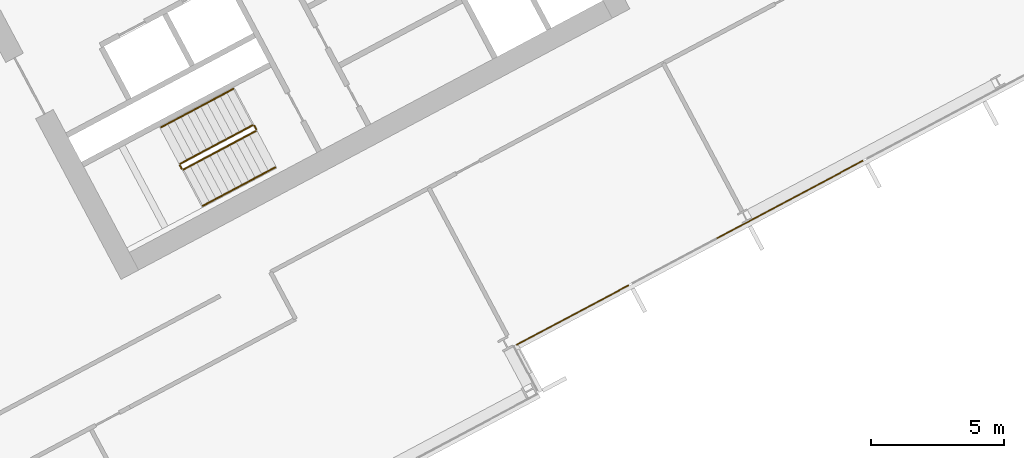
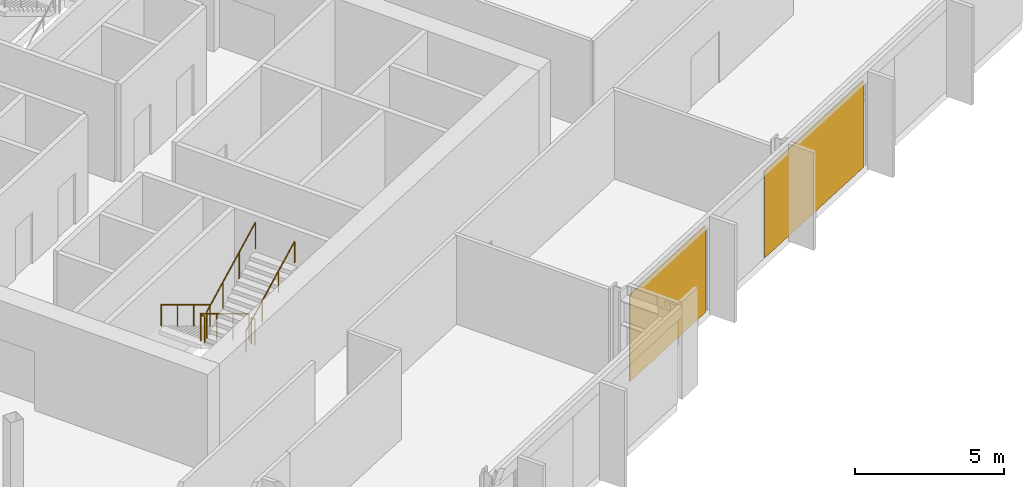
# One storey, part 25 of 28: 6 railings, 2 coverings, 1 element without a shape of its own.
"""IFC4 building model written with IfcOpenShell, lengths in metres."""

from ifc_helpers import new_model, si_unit, direction, frame, origin, origin_2d, place, context, subcontext, project, spatial, polyline, rectangle, outline, extrude, material, layer, layer_set, type_object, element, aggregate, save


model = new_model("IFC4")

# Units and contexts
model_context = context("Model", 3, precision=1e-05, world=origin(), true_north=direction((0.0, 1.0)))
body_context = subcontext(model_context, "Body", "Model", "MODEL_VIEW")
ifc_project = project(units=[si_unit("LENGTHUNIT", "METRE"), si_unit("AREAUNIT", "SQUARE_METRE"), si_unit("VOLUMEUNIT", "CUBIC_METRE"), si_unit("PLANEANGLEUNIT", "RADIAN"), si_unit("MASSUNIT", "GRAM", prefix="KILO")], contexts=[model_context])

# Site, building, storey
site_placement = place(None, origin())
site = spatial("IfcSite", under=ifc_project, at=site_placement, CompositionType="ELEMENT")
building_placement = place(site_placement, origin())
building = spatial("IfcBuilding", under=site, at=building_placement, Name="Cormorant Relay Tower", CompositionType="ELEMENT")
storey_placement = place(building_placement, frame((0.0, 0.0, 134.199951171875)))
storey = spatial("IfcBuildingStorey", under=building, at=storey_placement, Name="L27", CompositionType="ELEMENT", Elevation=134.199951171875)

# Curtain wall, coverings
ifc_material_1 = material(Name="Aluminium 6063-T6 anodised bronze", Category="aluminium")
ifc_layer_1 = layer(ifc_material_1, 0.199951171875)
ifc_layer_set_1 = layer_set([ifc_layer_1], Name="CW1 unitised bronze curtain wall with vertical fins")
curtain_wall_type = type_object("IfcCurtainWallType", Name="CW1 unitised bronze curtain wall with vertical fins", PredefinedType="NOTDEFINED", material=ifc_layer_set_1)
curtain_wall_placement = place(storey_placement, origin())
curtain_wall = element("IfcCurtainWall", 1, at=curtain_wall_placement, inside=storey, type_object=curtain_wall_type, Name="CW1 curtain wall 4", PredefinedType="NOTDEFINED")
ifc_material_2 = material(Name="Pale bronze anodised aluminium insulated panel", Category="aluminium")
ifc_layer_2 = layer(ifc_material_2, 0.0400390625)
ifc_layer_set_2 = layer_set([ifc_layer_2], Name="CW1 pale bronze insulated panel 40")
covering_type = type_object("IfcCoveringType", Name="CW1 pale bronze insulated panel 40", PredefinedType="CLADDING", material=ifc_layer_set_2)
covering_1_placement = place(storey_placement, frame((35.892333984375, -2.457275390625, 0.0), z_axis=(0.0, 0.0, 1.0), x_axis=(0.882947592859, 0.469471562786, 0.0)))
covering_1 = element("IfcCovering", 2, at=covering_1_placement, type_object=covering_type, Name="CW1 panel S00", PredefinedType="CLADDING", context=body_context, shape_type="SweptSolid", body=[
    extrude(rectangle(XDim=4.77490234375, YDim=0.0400390625, at=origin_2d()), origin(), (0.0, 0.0, 1.0), 3.550048828125),
])
covering_2_placement = place(storey_placement, frame((44.07080078125, 1.891357421875, 0.0), z_axis=(0.0, 0.0, 1.0), x_axis=(0.882947592859, 0.469471562786, 0.0)))
covering_2 = element("IfcCovering", 3, at=covering_2_placement, type_object=covering_type, Name="CW1 panel S02", PredefinedType="CLADDING", context=body_context, shape_type="SweptSolid", body=[
    extrude(rectangle(XDim=6.25, YDim=0.0400390625, at=origin_2d()), origin(), (0.0, 0.0, 1.0), 3.550048828125),
])
aggregate(curtain_wall, [covering_1, covering_2])

# Railings
ifc_material_3 = material(Name="Steel ASTM A572 Grade 50 (Fy 345 MPa)", Category="steel")
railing_type_1 = type_object("IfcRailingType", Name="Stair guard 1100", PredefinedType="GUARDRAIL", material=ifc_material_3)
railing_1_placement = place(storey_placement, frame((23.83837890625, 4.6904296875, 0.166748046875)))
element("IfcRailing", 4, at=railing_1_placement, inside=storey, type_object=railing_type_1, Name="L27 B1 stair guard 1", PredefinedType="GUARDRAIL", context=body_context, shape_type="SweptSolid", body=[
    extrude(outline(polyline([(0.022216796875, 0.00927734375), (0.00927734375, 0.022216796875), (-0.00927734375, 0.022216796875), (-0.022216796875, 0.00927734375), (-0.022216796875, -0.00927734375), (-0.00927734375, -0.022216796875), (0.00927734375, -0.022216796875), (0.022216796875, -0.00927734375), (0.022216796875, 0.00927734375)])), frame((0.0, 0.0, 1.076171875), z_axis=(-0.758713656843, -0.403434867536, 0.511462505542), x_axis=(0.469489399267, -0.882938108802, 0.0)), (0.0, 0.0, 1.0), 3.584228515625),
    extrude(outline(polyline([(0.019287109375, 0.008056640625), (0.008056640625, 0.019287109375), (-0.008056640625, 0.019287109375), (-0.019287109375, 0.008056640625), (-0.019287109375, -0.008056640625), (-0.008056640625, -0.019287109375), (0.008056640625, -0.019287109375), (0.019287109375, -0.008056640625), (0.019287109375, 0.008056640625)])), origin(), (0.0, 0.0, 1.0), 1.052001953125),
    extrude(outline(polyline([(0.019287109375, 0.008056640625), (0.008056640625, 0.019287109375), (-0.008056640625, 0.019287109375), (-0.019287109375, 0.008056640625), (-0.019287109375, -0.008056640625), (-0.008056640625, -0.019287109375), (0.008056640625, -0.019287109375), (0.019287109375, -0.008056640625), (0.019287109375, 0.008056640625)])), frame((-0.906494140625, -0.48193359375, 0.611083984375)), (0.0, 0.0, 1.0), 1.052001953125),
    extrude(outline(polyline([(0.019287109375, 0.008056640625), (0.008056640625, 0.019287109375), (-0.008056640625, 0.019287109375), (-0.019287109375, 0.008056640625), (-0.019287109375, -0.008056640625), (-0.008056640625, -0.019287109375), (0.008056640625, -0.019287109375), (0.019287109375, -0.008056640625), (0.019287109375, 0.008056640625)])), frame((-1.81298828125, -0.964111328125, 1.22216796875)), (0.0, 0.0, 1.0), 1.052001953125),
    extrude(outline(polyline([(0.019287109375, 0.008056640625), (0.008056640625, 0.019287109375), (-0.008056640625, 0.019287109375), (-0.019287109375, 0.008056640625), (-0.019287109375, -0.008056640625), (-0.008056640625, -0.019287109375), (0.008056640625, -0.019287109375), (0.019287109375, -0.008056640625), (0.019287109375, 0.008056640625)])), frame((-2.719482421875, -1.446044921875, 1.833251953125)), (0.0, 0.0, 1.0), 1.052001953125),
])
railing_2_placement = place(storey_placement, frame((21.09814453125, 3.1767578125, 2.0)))
element("IfcRailing", 5, at=railing_2_placement, inside=storey, type_object=railing_type_1, Name="L27 B1 stair guard 2", PredefinedType="GUARDRAIL", context=body_context, shape_type="SweptSolid", body=[
    extrude(outline(polyline([(0.022216796875, 0.00927734375), (0.00927734375, 0.022216796875), (-0.00927734375, 0.022216796875), (-0.022216796875, 0.00927734375), (-0.022216796875, -0.00927734375), (-0.00927734375, -0.022216796875), (0.00927734375, -0.022216796875), (0.022216796875, -0.00927734375), (0.022216796875, 0.00927734375)])), frame((0.0, 0.0, 1.076171875), z_axis=(0.469234640946, -0.883073525669, 0.0), x_axis=(0.883073525669, 0.469234640946, 0.0)), (0.0, 0.0, 1.0), 0.14990234375),
    extrude(outline(polyline([(0.019287109375, 0.008056640625), (0.008056640625, 0.019287109375), (-0.008056640625, 0.019287109375), (-0.019287109375, 0.008056640625), (-0.019287109375, -0.008056640625), (-0.008056640625, -0.019287109375), (0.008056640625, -0.019287109375), (0.019287109375, -0.008056640625), (0.019287109375, 0.008056640625)])), origin(), (0.0, 0.0, 1.0), 1.052001953125),
    extrude(outline(polyline([(0.019287109375, 0.008056640625), (0.008056640625, 0.019287109375), (-0.008056640625, 0.019287109375), (-0.019287109375, 0.008056640625), (-0.019287109375, -0.008056640625), (-0.008056640625, -0.019287109375), (0.008056640625, -0.019287109375), (0.019287109375, -0.008056640625), (0.019287109375, 0.008056640625)])), frame((0.0703125, -0.13232421875, 0.0)), (0.0, 0.0, 1.0), 1.052001953125),
])
railing_3_placement = place(storey_placement, frame((21.236083984375, 3.023681640625, 2.166748046875)))
element("IfcRailing", 6, at=railing_3_placement, inside=storey, type_object=railing_type_1, Name="L27 B1 stair guard 3", PredefinedType="GUARDRAIL", context=body_context, shape_type="SweptSolid", body=[
    extrude(outline(polyline([(0.022216796875, 0.00927734375), (0.00927734375, 0.022216796875), (-0.00927734375, 0.022216796875), (-0.022216796875, 0.00927734375), (-0.022216796875, -0.00927734375), (-0.00927734375, -0.022216796875), (0.00927734375, -0.022216796875), (0.022216796875, -0.00927734375), (0.022216796875, 0.00927734375)])), frame((0.0, 0.0, 1.076171875), z_axis=(0.758713656843, 0.403434867536, 0.511462505542), x_axis=(-0.469489399267, 0.882938108802, 0.0)), (0.0, 0.0, 1.0), 3.584228515625),
    extrude(outline(polyline([(0.019287109375, 0.008056640625), (0.008056640625, 0.019287109375), (-0.008056640625, 0.019287109375), (-0.019287109375, 0.008056640625), (-0.019287109375, -0.008056640625), (-0.008056640625, -0.019287109375), (0.008056640625, -0.019287109375), (0.019287109375, -0.008056640625), (0.019287109375, 0.008056640625)])), origin(), (0.0, 0.0, 1.0), 1.052001953125),
    extrude(outline(polyline([(0.019287109375, 0.008056640625), (0.008056640625, 0.019287109375), (-0.008056640625, 0.019287109375), (-0.019287109375, 0.008056640625), (-0.019287109375, -0.008056640625), (-0.008056640625, -0.019287109375), (0.008056640625, -0.019287109375), (0.019287109375, -0.008056640625), (0.019287109375, 0.008056640625)])), frame((0.906494140625, 0.48193359375, 0.611083984375)), (0.0, 0.0, 1.0), 1.052001953125),
    extrude(outline(polyline([(0.019287109375, 0.008056640625), (0.008056640625, 0.019287109375), (-0.008056640625, 0.019287109375), (-0.019287109375, 0.008056640625), (-0.019287109375, -0.008056640625), (-0.008056640625, -0.019287109375), (0.008056640625, -0.019287109375), (0.019287109375, -0.008056640625), (0.019287109375, 0.008056640625)])), frame((1.81298828125, 0.964111328125, 1.22216796875)), (0.0, 0.0, 1.0), 1.052001953125),
    extrude(outline(polyline([(0.019287109375, 0.008056640625), (0.008056640625, 0.019287109375), (-0.008056640625, 0.019287109375), (-0.019287109375, 0.008056640625), (-0.019287109375, -0.008056640625), (-0.008056640625, -0.019287109375), (0.008056640625, -0.019287109375), (0.019287109375, -0.008056640625), (0.019287109375, 0.008056640625)])), frame((2.719482421875, 1.446044921875, 1.833251953125)), (0.0, 0.0, 1.0), 1.052001953125),
])
railing_4_placement = place(storey_placement, frame((23.906005859375, 4.669677734375, 0.0)))
element("IfcRailing", 7, at=railing_4_placement, inside=storey, type_object=railing_type_1, Name="L27 B1 stair guard 4", PredefinedType="GUARDRAIL", context=body_context, shape_type="SweptSolid", body=[
    extrude(outline(polyline([(0.022216796875, 0.00927734375), (0.00927734375, 0.022216796875), (-0.00927734375, 0.022216796875), (-0.022216796875, 0.00927734375), (-0.022216796875, -0.00927734375), (-0.00927734375, -0.022216796875), (0.00927734375, -0.022216796875), (0.022216796875, -0.00927734375), (0.022216796875, 0.00927734375)])), frame((0.0, 0.0, 1.076171875), z_axis=(0.469234640946, -0.883073525669, 0.0), x_axis=(0.883073525669, 0.469234640946, 0.0)), (0.0, 0.0, 1.0), 0.14990234375),
    extrude(outline(polyline([(0.019287109375, 0.008056640625), (0.008056640625, 0.019287109375), (-0.008056640625, 0.019287109375), (-0.019287109375, 0.008056640625), (-0.019287109375, -0.008056640625), (-0.008056640625, -0.019287109375), (0.008056640625, -0.019287109375), (0.019287109375, -0.008056640625), (0.019287109375, 0.008056640625)])), origin(), (0.0, 0.0, 1.0), 1.052001953125),
    extrude(outline(polyline([(0.019287109375, 0.008056640625), (0.008056640625, 0.019287109375), (-0.008056640625, 0.019287109375), (-0.019287109375, 0.008056640625), (-0.019287109375, -0.008056640625), (-0.008056640625, -0.019287109375), (0.008056640625, -0.019287109375), (0.019287109375, -0.008056640625), (0.019287109375, 0.008056640625)])), frame((0.0703125, -0.13232421875, 0.0)), (0.0, 0.0, 1.0), 1.052001953125),
])
ifc_material_4 = material(Name="Steel ASTM A572 Grade 50 (Fy 345 MPa)", Category="steel")
railing_type_2 = type_object("IfcRailingType", Name="Stair handrail 900", PredefinedType="HANDRAIL", material=ifc_material_4)
railing_5_placement = place(storey_placement, frame((23.110595703125, 6.05908203125, 0.166748046875)))
element("IfcRailing", 8, at=railing_5_placement, inside=storey, type_object=railing_type_2, Name="L27 B1 stair handrail 1", PredefinedType="HANDRAIL", context=body_context, shape_type="SweptSolid", body=[
    extrude(outline(polyline([(0.022216796875, 0.00927734375), (0.00927734375, 0.022216796875), (-0.00927734375, 0.022216796875), (-0.022216796875, 0.00927734375), (-0.022216796875, -0.00927734375), (-0.00927734375, -0.022216796875), (0.00927734375, -0.022216796875), (0.022216796875, -0.00927734375), (0.022216796875, 0.00927734375)])), frame((0.0, 0.0, 0.8759765625), z_axis=(-0.758713656843, -0.403434867536, 0.511462505542), x_axis=(0.469489399267, -0.882938108802, 0.0)), (0.0, 0.0, 1.0), 3.584228515625),
    extrude(outline(polyline([(0.019287109375, 0.008056640625), (0.008056640625, 0.019287109375), (-0.008056640625, 0.019287109375), (-0.019287109375, 0.008056640625), (-0.019287109375, -0.008056640625), (-0.008056640625, -0.019287109375), (0.008056640625, -0.019287109375), (0.019287109375, -0.008056640625), (0.019287109375, 0.008056640625)])), origin(), (0.0, 0.0, 1.0), 0.851806640625),
    extrude(outline(polyline([(0.019287109375, 0.008056640625), (0.008056640625, 0.019287109375), (-0.008056640625, 0.019287109375), (-0.019287109375, 0.008056640625), (-0.019287109375, -0.008056640625), (-0.008056640625, -0.019287109375), (0.008056640625, -0.019287109375), (0.019287109375, -0.008056640625), (0.019287109375, 0.008056640625)])), frame((-0.906494140625, -0.48193359375, 0.611083984375)), (0.0, 0.0, 1.0), 0.851806640625),
    extrude(outline(polyline([(0.019287109375, 0.008056640625), (0.008056640625, 0.019287109375), (-0.008056640625, 0.019287109375), (-0.019287109375, 0.008056640625), (-0.019287109375, -0.008056640625), (-0.008056640625, -0.019287109375), (0.008056640625, -0.019287109375), (0.019287109375, -0.008056640625), (0.019287109375, 0.008056640625)])), frame((-1.81298828125, -0.964111328125, 1.22216796875)), (0.0, 0.0, 1.0), 0.851806640625),
    extrude(outline(polyline([(0.019287109375, 0.008056640625), (0.008056640625, 0.019287109375), (-0.008056640625, 0.019287109375), (-0.019287109375, 0.008056640625), (-0.019287109375, -0.008056640625), (-0.008056640625, -0.019287109375), (0.008056640625, -0.019287109375), (0.019287109375, -0.008056640625), (0.019287109375, 0.008056640625)])), frame((-2.719482421875, -1.446044921875, 1.833251953125)), (0.0, 0.0, 1.0), 0.851806640625),
])
railing_6_placement = place(storey_placement, frame((21.9638671875, 1.6552734375, 2.166748046875)))
element("IfcRailing", 9, at=railing_6_placement, inside=storey, type_object=railing_type_2, Name="L27 B1 stair handrail 2", PredefinedType="HANDRAIL", context=body_context, shape_type="SweptSolid", body=[
    extrude(outline(polyline([(0.022216796875, 0.00927734375), (0.00927734375, 0.022216796875), (-0.00927734375, 0.022216796875), (-0.022216796875, 0.00927734375), (-0.022216796875, -0.00927734375), (-0.00927734375, -0.022216796875), (0.00927734375, -0.022216796875), (0.022216796875, -0.00927734375), (0.022216796875, 0.00927734375)])), frame((0.0, 0.0, 0.8759765625), z_axis=(0.758734504837, 0.403377838015, 0.511476559549), x_axis=(-0.469427602063, 0.882970965786, 0.0)), (0.0, 0.0, 1.0), 3.584228515625),
    extrude(outline(polyline([(0.019287109375, 0.008056640625), (0.008056640625, 0.019287109375), (-0.008056640625, 0.019287109375), (-0.019287109375, 0.008056640625), (-0.019287109375, -0.008056640625), (-0.008056640625, -0.019287109375), (0.008056640625, -0.019287109375), (0.019287109375, -0.008056640625), (0.019287109375, 0.008056640625)])), origin(), (0.0, 0.0, 1.0), 0.851806640625),
    extrude(outline(polyline([(0.019287109375, 0.008056640625), (0.008056640625, 0.019287109375), (-0.008056640625, 0.019287109375), (-0.019287109375, 0.008056640625), (-0.019287109375, -0.008056640625), (-0.008056640625, -0.019287109375), (0.008056640625, -0.019287109375), (0.019287109375, -0.008056640625), (0.019287109375, 0.008056640625)])), frame((0.906494140625, 0.48193359375, 0.611083984375)), (0.0, 0.0, 1.0), 0.851806640625),
    extrude(outline(polyline([(0.019287109375, 0.008056640625), (0.008056640625, 0.019287109375), (-0.008056640625, 0.019287109375), (-0.019287109375, 0.008056640625), (-0.019287109375, -0.008056640625), (-0.008056640625, -0.019287109375), (0.008056640625, -0.019287109375), (0.019287109375, -0.008056640625), (0.019287109375, 0.008056640625)])), frame((1.81298828125, 0.9638671875, 1.22216796875)), (0.0, 0.0, 1.0), 0.851806640625),
    extrude(outline(polyline([(0.019287109375, 0.008056640625), (0.008056640625, 0.019287109375), (-0.008056640625, 0.019287109375), (-0.019287109375, 0.008056640625), (-0.019287109375, -0.008056640625), (-0.008056640625, -0.019287109375), (0.008056640625, -0.019287109375), (0.019287109375, -0.008056640625), (0.019287109375, 0.008056640625)])), frame((2.719482421875, 1.44580078125, 1.833251953125)), (0.0, 0.0, 1.0), 0.851806640625),
])

save(model, "model.ifc")
